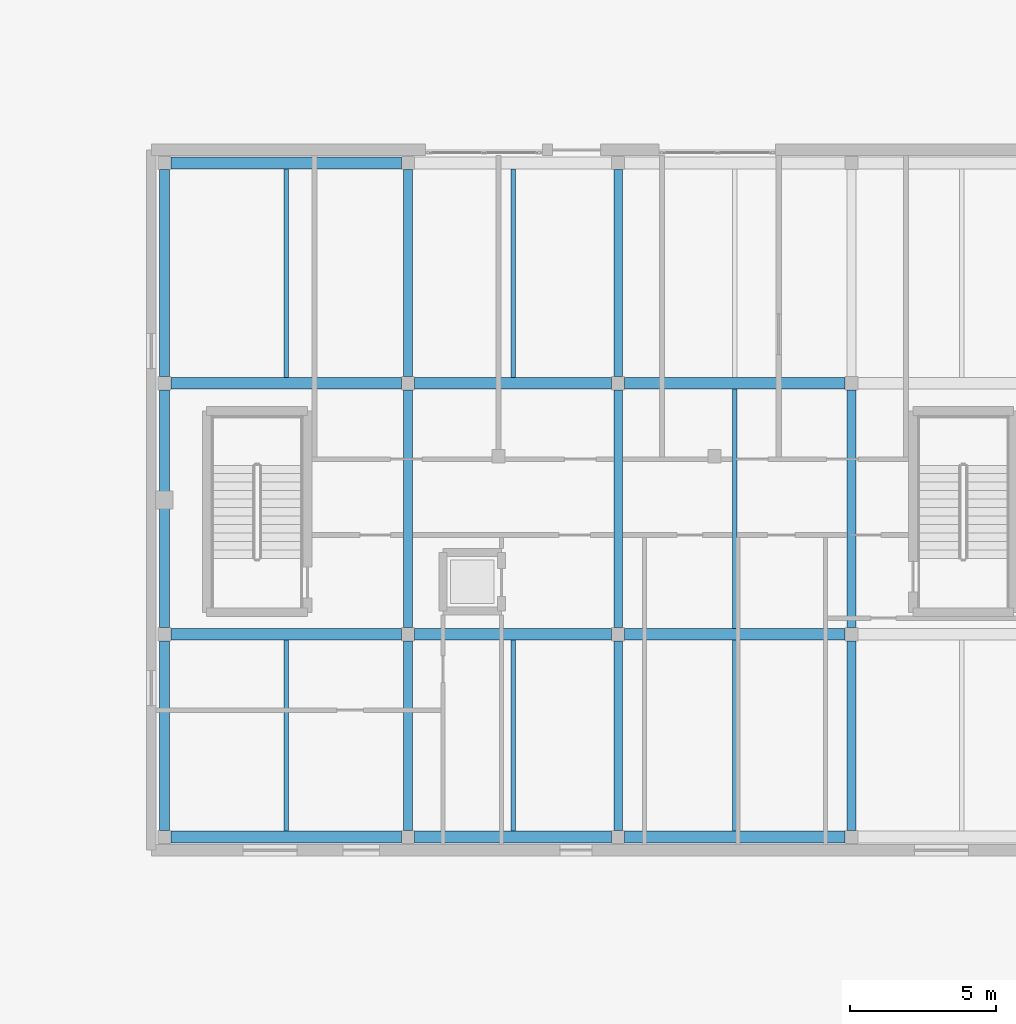
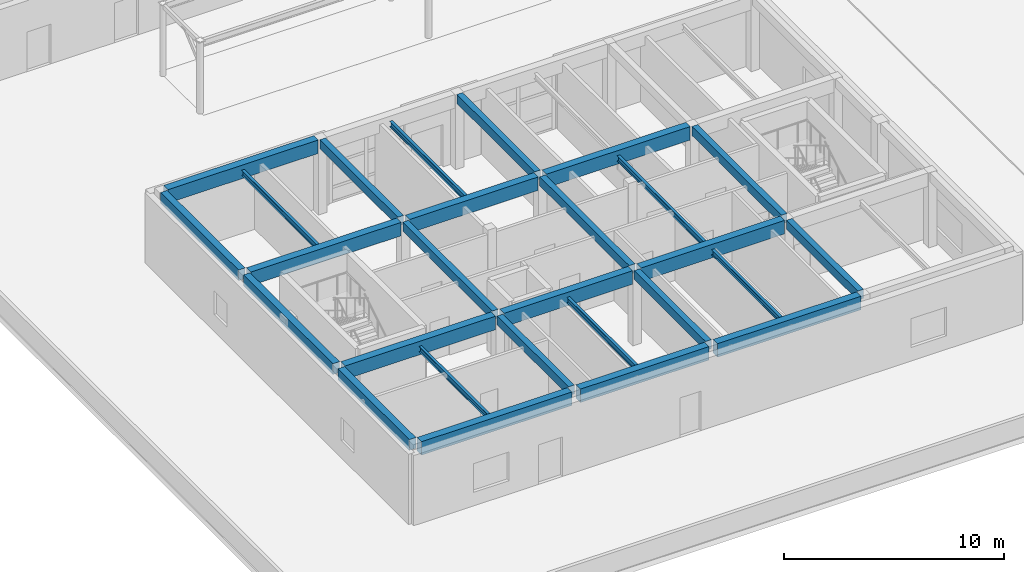
# One storey, part 15 of 114: 27 beams.
"""IFC4 building model written with IfcOpenShell, lengths in metres."""

from ifc_helpers import new_model, si_unit, direction, frame, origin, origin_2d, place, context, subcontext, project, spatial, rectangle, i_section, extrude, material, material_profile, profile_set, type_object, element, save


model = new_model("IFC4")

# Units and contexts
model_context = context("Model", 3, precision=1e-05, world=origin(), true_north=direction((0.0, 1.0)))
body_context = subcontext(model_context, "Body", "Model", "MODEL_VIEW")
ifc_project = project(units=[si_unit("LENGTHUNIT", "METRE"), si_unit("AREAUNIT", "SQUARE_METRE"), si_unit("VOLUMEUNIT", "CUBIC_METRE"), si_unit("PLANEANGLEUNIT", "RADIAN"), si_unit("MASSUNIT", "GRAM", prefix="KILO")], contexts=[model_context])

# Site, building, storey
site_placement = place(None, origin())
site = spatial("IfcSite", under=ifc_project, at=site_placement, CompositionType="ELEMENT")
building_placement = place(site_placement, origin())
building = spatial("IfcBuilding", under=site, at=building_placement, Name="Keldmere Railside Commons", CompositionType="ELEMENT")
storey_placement = place(building_placement, origin())
storey = spatial("IfcBuildingStorey", under=building, at=storey_placement, Name="L00", CompositionType="ELEMENT", Elevation=0.0)

# Beams
ifc_material_1 = material(Name="Concrete H-35 (C35/45)", Category="concrete")
ifc_material_profile_1 = material_profile(ifc_material_1, rectangle(XDim=0.39990234375, YDim=0.75, at=origin_2d()), Name="RC-400x750")
ifc_profile_set_1 = profile_set([ifc_material_profile_1], Name="Concrete H-35 (C35/45)")
beam_type_1 = type_object("IfcBeamType", Name="Civic Frame RC Girder 400x750", PredefinedType="BEAM", material=ifc_profile_set_1)
beam_1_placement = place(storey_placement, frame((8.675048828125, 16.449951171875, 3.784912109375), z_axis=(1.0, 0.0, 0.0), x_axis=(0.0, 1.0, 0.0)))
element("IfcBeam", 1, at=beam_1_placement, inside=storey, type_object=beam_type_1, Name="BG-2 BM-L00-0428", PredefinedType="BEAM", context=body_context, shape_type="SweptSolid", body=[
    extrude(rectangle(XDim=0.39990234375, YDim=0.75, at=origin_2d()), origin(), (0.0, 0.0, 1.0), 7.89990234375),
])
beam_2_placement = place(storey_placement, frame((17.02490234375, 16.449951171875, 3.784912109375), z_axis=(1.0, 0.0, 0.0), x_axis=(0.0, 1.0, 0.0)))
element("IfcBeam", 2, at=beam_2_placement, inside=storey, type_object=beam_type_1, Name="BG-2 BM-L00-0429", PredefinedType="BEAM", context=body_context, shape_type="SweptSolid", body=[
    extrude(rectangle(XDim=0.39990234375, YDim=0.75, at=origin_2d()), origin(), (0.0, 0.0, 1.0), 6.75),
])
beam_3_placement = place(storey_placement, frame((24.22509765625, 16.449951171875, 3.784912109375), z_axis=(1.0, 0.0, 0.0), x_axis=(0.0, 1.0, 0.0)))
element("IfcBeam", 3, at=beam_3_placement, inside=storey, type_object=beam_type_1, Name="BG-2 BM-L00-0430", PredefinedType="BEAM", context=body_context, shape_type="SweptSolid", body=[
    extrude(rectangle(XDim=0.39990234375, YDim=0.75, at=origin_2d()), origin(), (0.0, 0.0, 1.0), 7.5498046875),
])
beam_4_placement = place(storey_placement, frame((8.675048828125, 23.39990234375, 3.784912109375), z_axis=(1.0, 0.0, 0.0), x_axis=(0.0, 1.0, 0.0)))
element("IfcBeam", 4, at=beam_4_placement, inside=storey, type_object=beam_type_1, Name="BG-2 BM-L00-0436", PredefinedType="BEAM", context=body_context, shape_type="SweptSolid", body=[
    extrude(rectangle(XDim=0.39990234375, YDim=0.75, at=origin_2d()), origin(), (0.0, 0.0, 1.0), 7.89990234375),
])
beam_5_placement = place(storey_placement, frame((17.02490234375, 23.39990234375, 3.784912109375), z_axis=(1.0, 0.0, 0.0), x_axis=(0.0, 1.0, 0.0)))
element("IfcBeam", 5, at=beam_5_placement, inside=storey, type_object=beam_type_1, Name="BG-2 BM-L00-0437", PredefinedType="BEAM", context=body_context, shape_type="SweptSolid", body=[
    extrude(rectangle(XDim=0.39990234375, YDim=0.75, at=origin_2d()), origin(), (0.0, 0.0, 1.0), 6.75),
])
beam_6_placement = place(storey_placement, frame((24.22509765625, 23.39990234375, 3.784912109375), z_axis=(1.0, 0.0, 0.0), x_axis=(0.0, 1.0, 0.0)))
element("IfcBeam", 6, at=beam_6_placement, inside=storey, type_object=beam_type_1, Name="BG-2 BM-L00-0438", PredefinedType="BEAM", context=body_context, shape_type="SweptSolid", body=[
    extrude(rectangle(XDim=0.39990234375, YDim=0.75, at=origin_2d()), origin(), (0.0, 0.0, 1.0), 7.5498046875),
])
beam_7_placement = place(storey_placement, frame((8.675048828125, 32.0, 3.784912109375), z_axis=(1.0, 0.0, 0.0), x_axis=(0.0, 1.0, 0.0)))
element("IfcBeam", 7, at=beam_7_placement, inside=storey, type_object=beam_type_1, Name="BG-2 BM-L00-0445", PredefinedType="BEAM", context=body_context, shape_type="SweptSolid", body=[
    extrude(rectangle(XDim=0.39990234375, YDim=0.75, at=origin_2d()), origin(), (0.0, 0.0, 1.0), 7.89990234375),
])
beam_8_placement = place(storey_placement, frame((17.02490234375, 32.0, 3.784912109375), z_axis=(1.0, 0.0, 0.0), x_axis=(0.0, 1.0, 0.0)))
element("IfcBeam", 8, at=beam_8_placement, inside=storey, type_object=beam_type_1, Name="BG-2 BM-L00-0446", PredefinedType="BEAM", context=body_context, shape_type="SweptSolid", body=[
    extrude(rectangle(XDim=0.39990234375, YDim=0.75, at=origin_2d()), origin(), (0.0, 0.0, 1.0), 6.75),
])
beam_9_placement = place(storey_placement, frame((24.22509765625, 32.0, 3.784912109375), z_axis=(1.0, 0.0, 0.0), x_axis=(0.0, 1.0, 0.0)))
element("IfcBeam", 9, at=beam_9_placement, inside=storey, type_object=beam_type_1, Name="BG-2 BM-L00-0447", PredefinedType="BEAM", context=body_context, shape_type="SweptSolid", body=[
    extrude(rectangle(XDim=0.39990234375, YDim=0.75, at=origin_2d()), origin(), (0.0, 0.0, 1.0), 7.5498046875),
])
beam_10_placement = place(storey_placement, frame((8.675048828125, 39.550048828125, 3.784912109375), z_axis=(1.0, 0.0, 0.0), x_axis=(0.0, 1.0, 0.0)))
element("IfcBeam", 10, at=beam_10_placement, inside=storey, type_object=beam_type_1, Name="BG-2 BM-L00-0449", PredefinedType="BEAM", context=body_context, shape_type="SweptSolid", body=[
    extrude(rectangle(XDim=0.39990234375, YDim=0.75, at=origin_2d()), origin(), (0.0, 0.0, 1.0), 7.89990234375),
])
ifc_material_2 = material(Name="Steel F-36 (S355)", Category="steel")
ifc_material_profile_2 = material_profile(ifc_material_2, i_section(OverallWidth=0.14990234375, OverallDepth=0.300048828125, WebThickness=0.007080078125, FlangeThickness=0.0107421875, at=origin_2d()), Name="IPE-300")
ifc_profile_set_2 = profile_set([ifc_material_profile_2], Name="Steel F-36 (S355)")
beam_type_2 = type_object("IfcBeamType", Name="Podium & Arcade Steel Joist IPE300", PredefinedType="JOIST", material=ifc_profile_set_2)
for number, where, z_axis, x_axis, name in (
    (11, (12.625, 16.64990234375, 3.739990234375), (0.0, 1.0, 0.0), (-1.0, 0.0, 0.0), "JST-1 BM-L00-0681"),
    (12, (20.39990234375, 16.64990234375, 3.739990234375), (0.0, 1.0, 0.0), (-1.0, 0.0, 0.0), "JST-1 BM-L00-0682"),
    (13, (28.0, 16.64990234375, 3.739990234375), (0.0, 1.0, 0.0), (-1.0, 0.0, 0.0), "JST-1 BM-L00-0683"),
):
    element("IfcBeam", number, at=place(storey_placement, frame(where, z_axis=z_axis, x_axis=x_axis)), inside=storey, type_object=beam_type_2, Name=name, PredefinedType="JOIST", context=body_context, shape_type="SweptSolid", body=[
        extrude(i_section(OverallWidth=0.14990234375, OverallDepth=0.300048828125, WebThickness=0.007080078125, FlangeThickness=0.0107421875, at=origin_2d()), origin(), (0.0, 0.0, 1.0), 6.550048828125),
    ])
beam_11_placement = place(storey_placement, frame((28.0, 23.60009765625, 3.739990234375), z_axis=(0.0, 1.0, 0.0), x_axis=(-1.0, 0.0, 0.0)))
element("IfcBeam", 14, at=beam_11_placement, inside=storey, type_object=beam_type_2, Name="JST-1 BM-L00-0685", PredefinedType="JOIST", context=body_context, shape_type="SweptSolid", body=[
    extrude(i_section(OverallWidth=0.14990234375, OverallDepth=0.300048828125, WebThickness=0.007080078125, FlangeThickness=0.0107421875, at=origin_2d()), origin(), (0.0, 0.0, 1.0), 8.199951171875),
])
for number, where, z_axis, x_axis, name in (
    (15, (12.625, 32.199951171875, 3.739990234375), (0.0, 1.0, 0.0), (-1.0, 0.0, 0.0), "JST-1 BM-L00-0691"),
    (16, (20.39990234375, 32.199951171875, 3.739990234375), (0.0, 1.0, 0.0), (-1.0, 0.0, 0.0), "JST-1 BM-L00-0692"),
):
    element("IfcBeam", number, at=place(storey_placement, frame(where, z_axis=z_axis, x_axis=x_axis)), inside=storey, type_object=beam_type_2, Name=name, PredefinedType="JOIST", context=body_context, shape_type="SweptSolid", body=[
        extrude(i_section(OverallWidth=0.14990234375, OverallDepth=0.300048828125, WebThickness=0.007080078125, FlangeThickness=0.0107421875, at=origin_2d()), origin(), (0.0, 0.0, 1.0), 7.150146484375),
    ])
ifc_material_3 = material(Name="Concrete H-30 (C30/37)", Category="concrete")
ifc_material_profile_3 = material_profile(ifc_material_3, rectangle(XDim=0.35009765625, YDim=0.60009765625, at=origin_2d()), Name="RC-350x600")
ifc_profile_set_3 = profile_set([ifc_material_profile_3], Name="Concrete H-30 (C30/37)")
beam_type_3 = type_object("IfcBeamType", Name="Residential Chord RC Beam 350x600", PredefinedType="BEAM", material=ifc_profile_set_3)
beam_12_placement = place(storey_placement, frame((8.449951171875, 16.675048828125, 3.860107421875), z_axis=(0.0, 1.0, 0.0), x_axis=(-1.0, 0.0, 0.0)))
element("IfcBeam", 17, at=beam_12_placement, inside=storey, type_object=beam_type_3, Name="BG-4 BM-L00-0548", PredefinedType="BEAM", context=body_context, shape_type="SweptSolid", body=[
    extrude(rectangle(XDim=0.35009765625, YDim=0.60009765625, at=origin_2d()), origin(), (0.0, 0.0, 1.0), 6.5),
])
beam_13_placement = place(storey_placement, frame((8.449951171875, 23.625, 3.860107421875), z_axis=(0.0, 1.0, 0.0), x_axis=(-1.0, 0.0, 0.0)))
element("IfcBeam", 18, at=beam_13_placement, inside=storey, type_object=beam_type_3, Name="BG-4 BM-L00-0549", PredefinedType="BEAM", context=body_context, shape_type="SweptSolid", body=[
    extrude(rectangle(XDim=0.35009765625, YDim=0.60009765625, at=origin_2d()), origin(), (0.0, 0.0, 1.0), 8.14990234375),
])
beam_14_placement = place(storey_placement, frame((8.449951171875, 32.22509765625, 3.860107421875), z_axis=(0.0, 1.0, 0.0), x_axis=(-1.0, 0.0, 0.0)))
element("IfcBeam", 19, at=beam_14_placement, inside=storey, type_object=beam_type_3, Name="BG-4 BM-L00-0550", PredefinedType="BEAM", context=body_context, shape_type="SweptSolid", body=[
    extrude(rectangle(XDim=0.35009765625, YDim=0.60009765625, at=origin_2d()), origin(), (0.0, 0.0, 1.0), 7.099853515625),
])
ifc_material_profile_4 = material_profile(ifc_material_3, rectangle(XDim=0.300048828125, YDim=0.5, at=origin_2d()), Name="RC-300x500")
ifc_profile_set_4 = profile_set([ifc_material_profile_4], Name="Concrete H-30 (C30/37)")
beam_type_4 = type_object("IfcBeamType", Name="Secondary Frame RC Beam 300x500", PredefinedType="BEAM", material=ifc_profile_set_4)
beam_15_placement = place(storey_placement, frame((16.800048828125, 16.675048828125, 3.909912109375), z_axis=(0.0, 1.0, 0.0), x_axis=(-1.0, 0.0, 0.0)))
element("IfcBeam", 20, at=beam_15_placement, inside=storey, type_object=beam_type_4, Name="BG-5 BM-L00-0561", PredefinedType="BEAM", context=body_context, shape_type="SweptSolid", body=[
    extrude(rectangle(XDim=0.300048828125, YDim=0.5, at=origin_2d()), origin(), (0.0, 0.0, 1.0), 6.5),
])
beam_16_placement = place(storey_placement, frame((16.800048828125, 23.625, 3.909912109375), z_axis=(0.0, 1.0, 0.0), x_axis=(-1.0, 0.0, 0.0)))
element("IfcBeam", 21, at=beam_16_placement, inside=storey, type_object=beam_type_4, Name="BG-5 BM-L00-0562", PredefinedType="BEAM", context=body_context, shape_type="SweptSolid", body=[
    extrude(rectangle(XDim=0.300048828125, YDim=0.5, at=origin_2d()), origin(), (0.0, 0.0, 1.0), 8.14990234375),
])
beam_17_placement = place(storey_placement, frame((16.800048828125, 32.22509765625, 3.909912109375), z_axis=(0.0, 1.0, 0.0), x_axis=(-1.0, 0.0, 0.0)))
element("IfcBeam", 22, at=beam_17_placement, inside=storey, type_object=beam_type_4, Name="BG-5 BM-L00-0563", PredefinedType="BEAM", context=body_context, shape_type="SweptSolid", body=[
    extrude(rectangle(XDim=0.300048828125, YDim=0.5, at=origin_2d()), origin(), (0.0, 0.0, 1.0), 7.099853515625),
])
beam_18_placement = place(storey_placement, frame((24.0, 16.675048828125, 3.909912109375), z_axis=(0.0, 1.0, 0.0), x_axis=(-1.0, 0.0, 0.0)))
element("IfcBeam", 23, at=beam_18_placement, inside=storey, type_object=beam_type_4, Name="BG-5 BM-L00-0570", PredefinedType="BEAM", context=body_context, shape_type="SweptSolid", body=[
    extrude(rectangle(XDim=0.300048828125, YDim=0.5, at=origin_2d()), origin(), (0.0, 0.0, 1.0), 6.5),
])
beam_19_placement = place(storey_placement, frame((24.0, 23.625, 3.909912109375), z_axis=(0.0, 1.0, 0.0), x_axis=(-1.0, 0.0, 0.0)))
element("IfcBeam", 24, at=beam_19_placement, inside=storey, type_object=beam_type_4, Name="BG-5 BM-L00-0571", PredefinedType="BEAM", context=body_context, shape_type="SweptSolid", body=[
    extrude(rectangle(XDim=0.300048828125, YDim=0.5, at=origin_2d()), origin(), (0.0, 0.0, 1.0), 8.14990234375),
])
beam_20_placement = place(storey_placement, frame((24.0, 32.22509765625, 3.909912109375), z_axis=(0.0, 1.0, 0.0), x_axis=(-1.0, 0.0, 0.0)))
element("IfcBeam", 25, at=beam_20_placement, inside=storey, type_object=beam_type_4, Name="BG-5 BM-L00-0572", PredefinedType="BEAM", context=body_context, shape_type="SweptSolid", body=[
    extrude(rectangle(XDim=0.300048828125, YDim=0.5, at=origin_2d()), origin(), (0.0, 0.0, 1.0), 7.099853515625),
])
beam_21_placement = place(storey_placement, frame((32.0, 16.675048828125, 3.909912109375), z_axis=(0.0, 1.0, 0.0), x_axis=(-1.0, 0.0, 0.0)))
element("IfcBeam", 26, at=beam_21_placement, inside=storey, type_object=beam_type_4, Name="BG-5 BM-L00-0575", PredefinedType="BEAM", context=body_context, shape_type="SweptSolid", body=[
    extrude(rectangle(XDim=0.300048828125, YDim=0.5, at=origin_2d()), origin(), (0.0, 0.0, 1.0), 6.5),
])
beam_22_placement = place(storey_placement, frame((32.0, 23.625, 3.909912109375), z_axis=(0.0, 1.0, 0.0), x_axis=(-1.0, 0.0, 0.0)))
element("IfcBeam", 27, at=beam_22_placement, inside=storey, type_object=beam_type_4, Name="BG-5 BM-L00-0576", PredefinedType="BEAM", context=body_context, shape_type="SweptSolid", body=[
    extrude(rectangle(XDim=0.300048828125, YDim=0.5, at=origin_2d()), origin(), (0.0, 0.0, 1.0), 8.14990234375),
])

save(model, "model.ifc")
